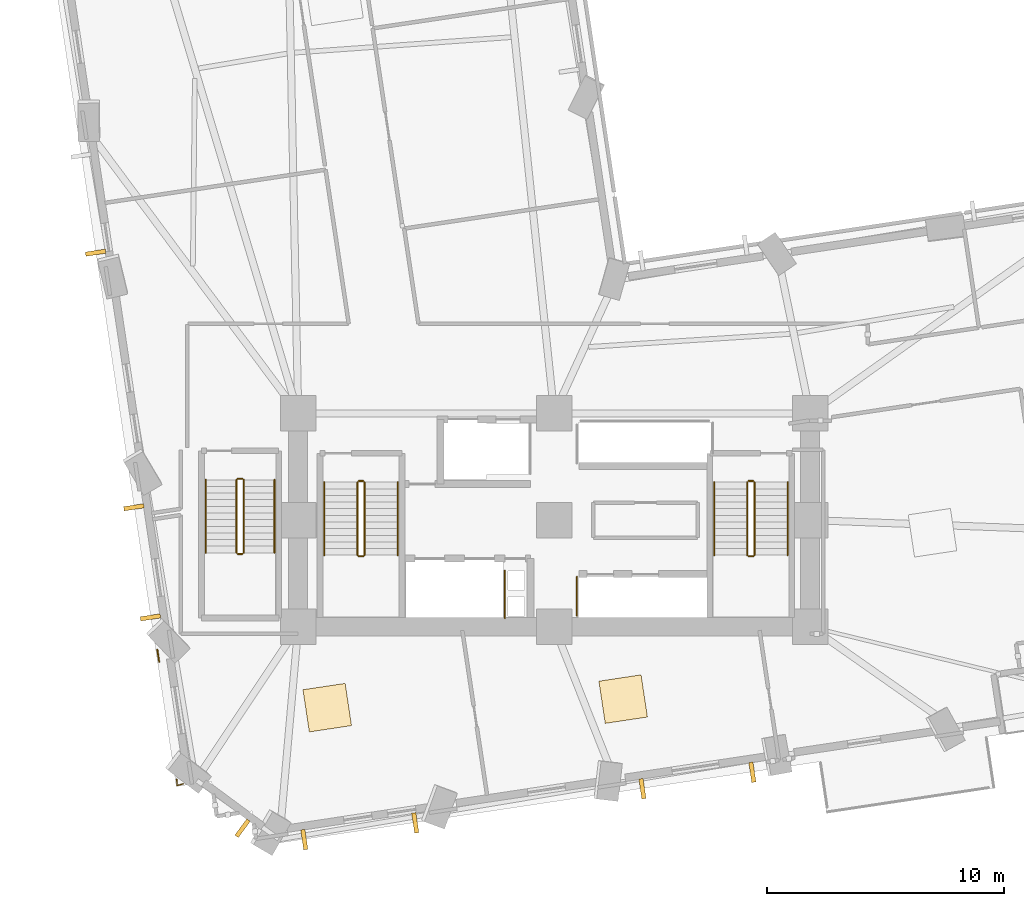
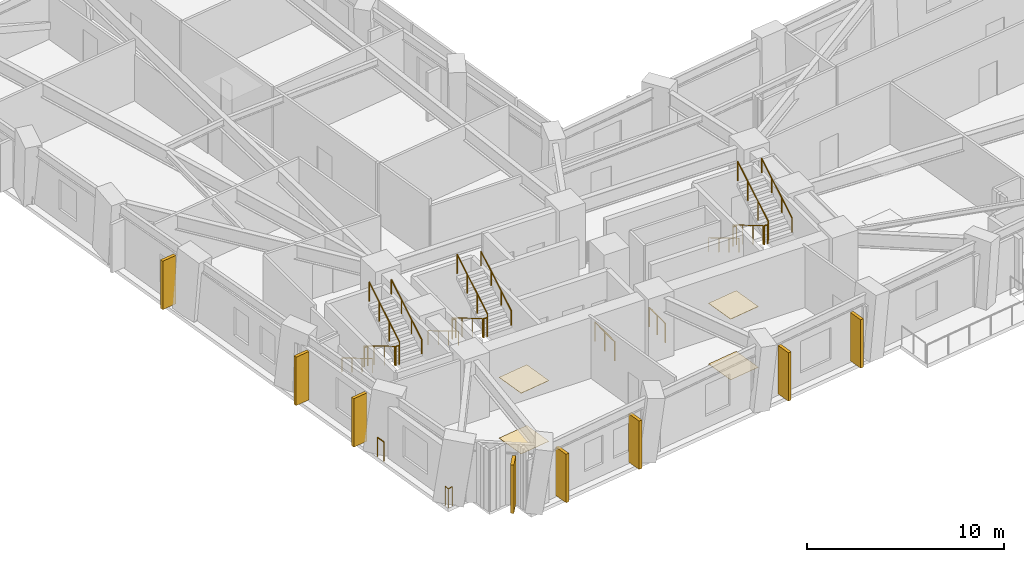
# One storey, part 12 of 15: 22 railings, 8 shading devices, 4 coverings.
"""IFC4 building model written with IfcOpenShell, lengths in metres."""

from ifc_helpers import new_model, si_unit, direction, frame, origin, origin_2d, place, context, subcontext, project, spatial, rectangle, circle, extrude, material, layer, layer_set, type_object, element, save


model = new_model("IFC4")

# Units and contexts
model_context = context("Model", 3, precision=1e-05, world=origin(), true_north=direction((0.0, 1.0)))
body_context = subcontext(model_context, "Body", "Model", "MODEL_VIEW")
ifc_project = project(units=[si_unit("LENGTHUNIT", "METRE"), si_unit("AREAUNIT", "SQUARE_METRE"), si_unit("VOLUMEUNIT", "CUBIC_METRE"), si_unit("PLANEANGLEUNIT", "RADIAN"), si_unit("MASSUNIT", "GRAM", prefix="KILO")], contexts=[model_context])

# Site, building, storey
site_placement = place(None, origin())
site = spatial("IfcSite", under=ifc_project, at=site_placement, CompositionType="ELEMENT")
building_placement = place(site_placement, origin())
building = spatial("IfcBuilding", under=site, at=building_placement, Name="Gaonmaruhae Medical Tower", CompositionType="ELEMENT")
storey_placement = place(building_placement, frame((0.0, 0.0, 59.0)))
storey = spatial("IfcBuildingStorey", under=building, at=storey_placement, Name="L13", CompositionType="ELEMENT", Elevation=59.0)

# Coverings
ifc_material_1 = material(Name="Acoustic mineral ceiling tile", Category="finish")
ifc_layer_1 = layer(ifc_material_1, 0.02490234375)
ifc_layer_set_1 = layer_set([ifc_layer_1], Name="Acoustic mineral ceiling tile")
covering_type_1 = type_object("IfcCoveringType", Name="CLG-01 Antimicrobial Acoustic Mineral Ceiling", PredefinedType="CEILING", material=ifc_layer_set_1)
for number, where, z_axis, x_axis, name in (
    (1, (15.2255859375, 4.386474609375, 3.755126953125), (0.0, 0.0, 1.0), (0.988886498745, 0.148672433897, 0.0), "L13 Clinical Room Acoustic Ceiling 2"),
    (2, (27.710693359375, 4.747314453125, 3.755126953125), (0.0, 0.0, 1.0), (0.988886498745, 0.148672433897, 0.0), "L13 Clinical Room Acoustic Ceiling 3"),
):
    element("IfcCovering", number, at=place(storey_placement, frame(where, z_axis=z_axis, x_axis=x_axis)), inside=storey, type_object=covering_type_1, Name=name, PredefinedType="CEILING", context=body_context, shape_type="SweptSolid", body=[
        extrude(rectangle(XDim=1.800048828125, YDim=1.800048828125, at=origin_2d()), origin(), (0.0, 0.0, 1.0), 0.02490234375),
    ])
ifc_material_2 = material(Name="Seamless clinical vinyl flooring", Category="finish")
ifc_layer_2 = layer(ifc_material_2, 0.014892578125)
ifc_layer_set_2 = layer_set([ifc_layer_2], Name="Seamless clinical vinyl flooring")
covering_type_2 = type_object("IfcCoveringType", Name="FLR-01 Seamless Clinical Antistatic Vinyl Flooring", PredefinedType="FLOORING", material=ifc_layer_set_2)
for number, where, z_axis, x_axis, name in (
    (3, (15.2255859375, 4.386474609375, 0.0), (0.0, 0.0, 1.0), (0.988886498745, 0.148672433897, 0.0), "L13 Clinical Room Vinyl Flooring 2"),
    (4, (27.710693359375, 4.747314453125, 0.0), (0.0, 0.0, 1.0), (0.988886498745, 0.148672433897, 0.0), "L13 Clinical Room Vinyl Flooring 3"),
):
    element("IfcCovering", number, at=place(storey_placement, frame(where, z_axis=z_axis, x_axis=x_axis)), inside=storey, type_object=covering_type_2, Name=name, PredefinedType="FLOORING", context=body_context, shape_type="SweptSolid", body=[
        extrude(rectangle(XDim=1.800048828125, YDim=1.800048828125, at=origin_2d()), origin(), (0.0, 0.0, 1.0), 0.014892578125),
    ])

# Railings
ifc_material_3 = material(Name="Stainless steel 316L and laminated safety glass", Category="steel")
ifc_layer_3 = layer(ifc_material_3, 0.080078125)
ifc_layer_set_3 = layer_set([ifc_layer_3], Name="Stainless steel 316L and laminated safety glass")
railing_type_1 = type_object("IfcRailingType", Name="GD-120 Outdoor Terrace Safety Glass & Steel Balustrade", PredefinedType="BALUSTRADE", material=ifc_layer_set_3)
railing_1_placement = place(storey_placement, frame((8.1337890625, 6.323486328125, 0.0)))
element("IfcRailing", 5, at=railing_1_placement, inside=storey, type_object=railing_type_1, Name="L13 Perimeter Slab Edge Safety Balustrade 01", PredefinedType="BALUSTRADE", context=body_context, shape_type="SweptSolid", body=[
    extrude(circle(Radius=0.02392578125, at=origin_2d()), frame((0.0, 0.0, 1.17578125), z_axis=(-0.148455316307, 0.988919116541, 0.0), x_axis=(-0.988919116541, -0.148455316307, 0.0)), (0.0, 0.0, 1.0), 0.519775390625),
    extrude(circle(Radius=0.02099609375, at=origin_2d()), origin(), (0.0, 0.0, 1.0), 1.15185546875),
    extrude(circle(Radius=0.02099609375, at=origin_2d()), frame((-0.0771484375, 0.513916015625, 0.0)), (0.0, 0.0, 1.0), 1.15185546875),
])
railing_2_placement = place(storey_placement, frame((9.160888671875, 1.174072265625, 0.0)))
element("IfcRailing", 6, at=railing_2_placement, inside=storey, type_object=railing_type_1, Name="L13 Perimeter Corner Safety Balustrade 10", PredefinedType="BALUSTRADE", context=body_context, shape_type="SweptSolid", body=[
    extrude(circle(Radius=0.02392578125, at=origin_2d()), frame((0.0, 0.0, 1.17578125), z_axis=(-0.963237241417, -0.268652222672, 0.0), x_axis=(0.268652222672, -0.963237241417, 0.0)), (0.0, 0.0, 1.0), 0.287109375),
    extrude(circle(Radius=0.02392578125, at=origin_2d()), frame((-0.276611328125, -0.0771484375, 1.17578125), z_axis=(-0.027200816037, 0.99962998935, 0.0), x_axis=(-0.99962998935, -0.027200816037, 0.0)), (0.0, 0.0, 1.0), 0.287109375),
    extrude(circle(Radius=0.02099609375, at=origin_2d()), origin(), (0.0, 0.0, 1.0), 1.15185546875),
    extrude(circle(Radius=0.02099609375, at=origin_2d()), frame((-0.276611328125, -0.0771484375, 0.0)), (0.0, 0.0, 1.0), 1.15185546875),
    extrude(circle(Radius=0.02099609375, at=origin_2d()), frame((-0.284423828125, 0.2099609375, 0.0)), (0.0, 0.0, 1.0), 1.15185546875),
])
ifc_material_4 = material(Name="Stainless steel 304 handrail", Category="steel")
railing_type_2 = type_object("IfcRailingType", Name="HR-092 Continuous Stainless Steel Stair Handrail", PredefinedType="HANDRAIL", material=ifc_material_4)
railing_3_placement = place(storey_placement, frame((15.10009765625, 13.89990234375, 0.166748046875)))
element("IfcRailing", 7, at=railing_3_placement, inside=storey, type_object=railing_type_2, Name="L13 ST-01 stair handrail 1", PredefinedType="HANDRAIL", context=body_context, shape_type="SweptSolid", body=[
    extrude(circle(Radius=0.02392578125, at=origin_2d()), frame((0.0, 0.0, 0.8759765625), z_axis=(0.0, -0.859290745958, 0.51148745235), x_axis=(1.0, 0.0, 0.0)), (0.0, 0.0, 1.0), 3.584228515625),
    extrude(circle(Radius=0.02099609375, at=origin_2d()), origin(), (0.0, 0.0, 1.0), 0.851806640625),
    extrude(circle(Radius=0.02099609375, at=origin_2d()), frame((0.0, -1.026611328125, 0.611083984375)), (0.0, 0.0, 1.0), 0.851806640625),
    extrude(circle(Radius=0.02099609375, at=origin_2d()), frame((0.0, -2.05322265625, 1.22216796875)), (0.0, 0.0, 1.0), 0.851806640625),
    extrude(circle(Radius=0.02099609375, at=origin_2d()), frame((0.0, -3.079833984375, 1.833251953125)), (0.0, 0.0, 1.0), 0.851806640625),
])
railing_4_placement = place(storey_placement, frame((18.199951171875, 10.820068359375, 2.166748046875)))
element("IfcRailing", 8, at=railing_4_placement, inside=storey, type_object=railing_type_2, Name="L13 ST-01 stair handrail 2", PredefinedType="HANDRAIL", context=body_context, shape_type="SweptSolid", body=[
    extrude(circle(Radius=0.02392578125, at=origin_2d()), frame((0.0, 0.0, 0.8759765625), z_axis=(0.0, 0.859290745958, 0.51148745235), x_axis=(-1.0, 0.0, 0.0)), (0.0, 0.0, 1.0), 3.584228515625),
    extrude(circle(Radius=0.02099609375, at=origin_2d()), origin(), (0.0, 0.0, 1.0), 0.851806640625),
    extrude(circle(Radius=0.02099609375, at=origin_2d()), frame((0.0, 1.026611328125, 0.611083984375)), (0.0, 0.0, 1.0), 0.851806640625),
    extrude(circle(Radius=0.02099609375, at=origin_2d()), frame((0.0, 2.05322265625, 1.22216796875)), (0.0, 0.0, 1.0), 0.851806640625),
    extrude(circle(Radius=0.02099609375, at=origin_2d()), frame((0.0, 3.079833984375, 1.833251953125)), (0.0, 0.0, 1.0), 0.851806640625),
])
railing_5_placement = place(storey_placement, frame((31.550048828125, 13.89990234375, 0.166748046875)))
element("IfcRailing", 9, at=railing_5_placement, inside=storey, type_object=railing_type_2, Name="L13 ST-02 stair handrail 1", PredefinedType="HANDRAIL", context=body_context, shape_type="SweptSolid", body=[
    extrude(circle(Radius=0.02392578125, at=origin_2d()), frame((0.0, 0.0, 0.8759765625), z_axis=(0.0, -0.859290745958, 0.51148745235), x_axis=(1.0, 0.0, 0.0)), (0.0, 0.0, 1.0), 3.584228515625),
    extrude(circle(Radius=0.02099609375, at=origin_2d()), origin(), (0.0, 0.0, 1.0), 0.851806640625),
    extrude(circle(Radius=0.02099609375, at=origin_2d()), frame((0.0, -1.026611328125, 0.611083984375)), (0.0, 0.0, 1.0), 0.851806640625),
    extrude(circle(Radius=0.02099609375, at=origin_2d()), frame((0.0, -2.05322265625, 1.22216796875)), (0.0, 0.0, 1.0), 0.851806640625),
    extrude(circle(Radius=0.02099609375, at=origin_2d()), frame((0.0, -3.079833984375, 1.833251953125)), (0.0, 0.0, 1.0), 0.851806640625),
])
railing_6_placement = place(storey_placement, frame((34.64990234375, 10.820068359375, 2.166748046875)))
element("IfcRailing", 10, at=railing_6_placement, inside=storey, type_object=railing_type_2, Name="L13 ST-02 stair handrail 2", PredefinedType="HANDRAIL", context=body_context, shape_type="SweptSolid", body=[
    extrude(circle(Radius=0.02392578125, at=origin_2d()), frame((0.0, 0.0, 0.8759765625), z_axis=(0.0, 0.859290745958, 0.51148745235), x_axis=(-1.0, 0.0, 0.0)), (0.0, 0.0, 1.0), 3.584228515625),
    extrude(circle(Radius=0.02099609375, at=origin_2d()), origin(), (0.0, 0.0, 1.0), 0.851806640625),
    extrude(circle(Radius=0.02099609375, at=origin_2d()), frame((0.0, 1.026611328125, 0.611083984375)), (0.0, 0.0, 1.0), 0.851806640625),
    extrude(circle(Radius=0.02099609375, at=origin_2d()), frame((0.0, 2.05322265625, 1.22216796875)), (0.0, 0.0, 1.0), 0.851806640625),
    extrude(circle(Radius=0.02099609375, at=origin_2d()), frame((0.0, 3.079833984375, 1.833251953125)), (0.0, 0.0, 1.0), 0.851806640625),
])
railing_7_placement = place(storey_placement, frame((10.10009765625, 14.0, 0.166748046875)))
element("IfcRailing", 11, at=railing_7_placement, inside=storey, type_object=railing_type_2, Name="L13 ST-03 stair handrail 1", PredefinedType="HANDRAIL", context=body_context, shape_type="SweptSolid", body=[
    extrude(circle(Radius=0.02392578125, at=origin_2d()), frame((0.0, 0.0, 0.8759765625), z_axis=(0.0, -0.859308565015, 0.511457515432), x_axis=(1.0, 0.0, 0.0)), (0.0, 0.0, 1.0), 3.58447265625),
    extrude(circle(Radius=0.02099609375, at=origin_2d()), origin(), (0.0, 0.0, 1.0), 0.851806640625),
    extrude(circle(Radius=0.02099609375, at=origin_2d()), frame((0.0, -1.026611328125, 0.611083984375)), (0.0, 0.0, 1.0), 0.851806640625),
    extrude(circle(Radius=0.02099609375, at=origin_2d()), frame((0.0, -2.053466796875, 1.22216796875)), (0.0, 0.0, 1.0), 0.851806640625),
    extrude(circle(Radius=0.02099609375, at=origin_2d()), frame((0.0, -3.080078125, 1.833251953125)), (0.0, 0.0, 1.0), 0.851806640625),
])
railing_8_placement = place(storey_placement, frame((13.0, 10.919921875, 2.166748046875)))
element("IfcRailing", 12, at=railing_8_placement, inside=storey, type_object=railing_type_2, Name="L13 ST-03 stair handrail 2", PredefinedType="HANDRAIL", context=body_context, shape_type="SweptSolid", body=[
    extrude(circle(Radius=0.02392578125, at=origin_2d()), frame((0.0, 0.0, 0.8759765625), z_axis=(0.0, 0.859308565015, 0.511457515432), x_axis=(-1.0, 0.0, 0.0)), (0.0, 0.0, 1.0), 3.58447265625),
    extrude(circle(Radius=0.02099609375, at=origin_2d()), origin(), (0.0, 0.0, 1.0), 0.851806640625),
    extrude(circle(Radius=0.02099609375, at=origin_2d()), frame((0.0, 1.026611328125, 0.611083984375)), (0.0, 0.0, 1.0), 0.851806640625),
    extrude(circle(Radius=0.02099609375, at=origin_2d()), frame((0.0, 2.053466796875, 1.22216796875)), (0.0, 0.0, 1.0), 0.851806640625),
    extrude(circle(Radius=0.02099609375, at=origin_2d()), frame((0.0, 3.080078125, 1.833251953125)), (0.0, 0.0, 1.0), 0.851806640625),
])

# Shading devices
ifc_material_5 = material(Name="Pigmented coral precast concrete C45/55", Category="concrete")
shading_device_type = type_object("IfcShadingDeviceType", Name="SD-FIN1 Tower Vertical Coral Precast Shading Fin", PredefinedType="USERDEFINED", material=ifc_material_5)
for number, where, z_axis, x_axis, name in (
    (13, (18.939208984375, -0.4755859375, 0.08251953125), (0.0, 0.0, 1.0), (-0.988886498745, -0.148672433897, 0.0), "L13 Vertical Coral Precast Shading Fin S01"),
    (14, (14.25732421875, -1.179443359375, 0.08251953125), (0.0, 0.0, 1.0), (-0.988886498745, -0.148672433897, 0.0), "L13 Vertical Coral Precast Shading Fin S01B"),
    (15, (33.162109375, 1.66259765625, 0.08251953125), (0.0, 0.0, 1.0), (-0.988886498745, -0.148672433897, 0.0), "L13 Vertical Coral Precast Shading Fin S03"),
    (16, (28.524658203125, 0.965576171875, 0.08251953125), (0.0, 0.0, 1.0), (-0.988886498745, -0.148672433897, 0.0), "L13 Vertical Coral Precast Shading Fin S03B"),
    (17, (5.453369140625, 23.581787109375, 0.08251953125), (0.0, 0.0, 1.0), (-0.148672433897, 0.988886498745, 0.0), "L13 Vertical Coral Precast Shading Fin W03"),
    (18, (7.7666015625, 8.195068359375, 0.08251953125), (0.0, 0.0, 1.0), (-0.1486896932, 0.98888390377, 0.0), "L13 Vertical Coral Precast Shading Fin W05"),
    (19, (7.068115234375, 12.840087890625, 0.08251953125), (0.0, 0.0, 1.0), (-0.1486896932, 0.98888390377, 0.0), "L13 Vertical Coral Precast Shading Fin W05B"),
    (20, (11.65185546875, -0.7001953125, 0.08251953125), (0.0, 0.0, 1.0), (-0.80437563527, 0.594121062902, 0.0), "L13 Vertical Coral Precast Shading Fin W07"),
):
    element("IfcShadingDevice", number, at=place(storey_placement, frame(where, z_axis=z_axis, x_axis=x_axis)), inside=storey, type_object=shading_device_type, Name=name, ObjectType="FIN", PredefinedType="USERDEFINED", context=body_context, shape_type="SweptSolid", body=[
        extrude(rectangle(XDim=0.179931640625, YDim=0.85009765625, at=origin_2d()), origin(), (0.0, 0.0, 1.0), 3.0),
    ])

# Railings
ifc_material_6 = material(Name="Stainless steel 304 balustrade", Category="steel")
railing_type_3 = type_object("IfcRailingType", Name="SG-112 Stair Well & Ramp Void Safety Balustrade", PredefinedType="BALUSTRADE", material=ifc_material_6)
railing_9_placement = place(storey_placement, frame((16.5, 13.89990234375, 0.166748046875)))
element("IfcRailing", 21, at=railing_9_placement, inside=storey, type_object=railing_type_3, Name="L13 ST-01 stair guard 1", PredefinedType="BALUSTRADE", context=body_context, shape_type="SweptSolid", body=[
    extrude(circle(Radius=0.02392578125, at=origin_2d()), frame((0.0, 0.0, 1.17578125), z_axis=(0.0, -0.859290745958, 0.51148745235), x_axis=(1.0, 0.0, 0.0)), (0.0, 0.0, 1.0), 3.584228515625),
    extrude(circle(Radius=0.02099609375, at=origin_2d()), origin(), (0.0, 0.0, 1.0), 1.15185546875),
    extrude(circle(Radius=0.02099609375, at=origin_2d()), frame((0.0, -1.026611328125, 0.611083984375)), (0.0, 0.0, 1.0), 1.15185546875),
    extrude(circle(Radius=0.02099609375, at=origin_2d()), frame((0.0, -2.05322265625, 1.22216796875)), (0.0, 0.0, 1.0), 1.15185546875),
    extrude(circle(Radius=0.02099609375, at=origin_2d()), frame((0.0, -3.079833984375, 1.833251953125)), (0.0, 0.0, 1.0), 1.15185546875),
])
railing_10_placement = place(storey_placement, frame((16.550048828125, 10.77001953125, 2.0)))
element("IfcRailing", 22, at=railing_10_placement, inside=storey, type_object=railing_type_3, Name="L13 ST-01 stair guard 2", PredefinedType="BALUSTRADE", context=body_context, shape_type="SweptSolid", body=[
    extrude(circle(Radius=0.02392578125, at=origin_2d()), frame((0.0, 0.0, 1.17578125), z_axis=(1.0, 0.0, 0.0), x_axis=(0.0, 1.0, 0.0)), (0.0, 0.0, 1.0), 0.199951171875),
    extrude(circle(Radius=0.02099609375, at=origin_2d()), origin(), (0.0, 0.0, 1.0), 1.15185546875),
    extrude(circle(Radius=0.02099609375, at=origin_2d()), frame((0.199951171875, 0.0, 0.0)), (0.0, 0.0, 1.0), 1.15185546875),
])
railing_11_placement = place(storey_placement, frame((16.800048828125, 10.820068359375, 2.166748046875)))
element("IfcRailing", 23, at=railing_11_placement, inside=storey, type_object=railing_type_3, Name="L13 ST-01 stair guard 3", PredefinedType="BALUSTRADE", context=body_context, shape_type="SweptSolid", body=[
    extrude(circle(Radius=0.02392578125, at=origin_2d()), frame((0.0, 0.0, 1.17578125), z_axis=(0.0, 0.859290745958, 0.51148745235), x_axis=(-1.0, 0.0, 0.0)), (0.0, 0.0, 1.0), 3.584228515625),
    extrude(circle(Radius=0.02099609375, at=origin_2d()), origin(), (0.0, 0.0, 1.0), 1.15185546875),
    extrude(circle(Radius=0.02099609375, at=origin_2d()), frame((0.0, 1.026611328125, 0.611083984375)), (0.0, 0.0, 1.0), 1.15185546875),
    extrude(circle(Radius=0.02099609375, at=origin_2d()), frame((0.0, 2.05322265625, 1.22216796875)), (0.0, 0.0, 1.0), 1.15185546875),
    extrude(circle(Radius=0.02099609375, at=origin_2d()), frame((0.0, 3.079833984375, 1.833251953125)), (0.0, 0.0, 1.0), 1.15185546875),
])
railing_12_placement = place(storey_placement, frame((16.550048828125, 13.949951171875, 0.0)))
element("IfcRailing", 24, at=railing_12_placement, inside=storey, type_object=railing_type_3, Name="L13 ST-01 stair guard 4", PredefinedType="BALUSTRADE", context=body_context, shape_type="SweptSolid", body=[
    extrude(circle(Radius=0.02392578125, at=origin_2d()), frame((0.0, 0.0, 1.17578125), z_axis=(1.0, 0.0, 0.0), x_axis=(0.0, 1.0, 0.0)), (0.0, 0.0, 1.0), 0.199951171875),
    extrude(circle(Radius=0.02099609375, at=origin_2d()), origin(), (0.0, 0.0, 1.0), 1.15185546875),
    extrude(circle(Radius=0.02099609375, at=origin_2d()), frame((0.199951171875, 0.0, 0.0)), (0.0, 0.0, 1.0), 1.15185546875),
])
railing_13_placement = place(storey_placement, frame((32.949951171875, 13.89990234375, 0.166748046875)))
element("IfcRailing", 25, at=railing_13_placement, inside=storey, type_object=railing_type_3, Name="L13 ST-02 stair guard 1", PredefinedType="BALUSTRADE", context=body_context, shape_type="SweptSolid", body=[
    extrude(circle(Radius=0.02392578125, at=origin_2d()), frame((0.0, 0.0, 1.17578125), z_axis=(0.0, -0.859290745958, 0.51148745235), x_axis=(1.0, 0.0, 0.0)), (0.0, 0.0, 1.0), 3.584228515625),
    extrude(circle(Radius=0.02099609375, at=origin_2d()), origin(), (0.0, 0.0, 1.0), 1.15185546875),
    extrude(circle(Radius=0.02099609375, at=origin_2d()), frame((0.0, -1.026611328125, 0.611083984375)), (0.0, 0.0, 1.0), 1.15185546875),
    extrude(circle(Radius=0.02099609375, at=origin_2d()), frame((0.0, -2.05322265625, 1.22216796875)), (0.0, 0.0, 1.0), 1.15185546875),
    extrude(circle(Radius=0.02099609375, at=origin_2d()), frame((0.0, -3.079833984375, 1.833251953125)), (0.0, 0.0, 1.0), 1.15185546875),
])
railing_14_placement = place(storey_placement, frame((33.0, 10.77001953125, 2.0)))
element("IfcRailing", 26, at=railing_14_placement, inside=storey, type_object=railing_type_3, Name="L13 ST-02 stair guard 2", PredefinedType="BALUSTRADE", context=body_context, shape_type="SweptSolid", body=[
    extrude(circle(Radius=0.02392578125, at=origin_2d()), frame((0.0, 0.0, 1.17578125), z_axis=(1.0, 0.0, 0.0), x_axis=(0.0, 1.0, 0.0)), (0.0, 0.0, 1.0), 0.199951171875),
    extrude(circle(Radius=0.02099609375, at=origin_2d()), origin(), (0.0, 0.0, 1.0), 1.15185546875),
    extrude(circle(Radius=0.02099609375, at=origin_2d()), frame((0.199951171875, 0.0, 0.0)), (0.0, 0.0, 1.0), 1.15185546875),
])
railing_15_placement = place(storey_placement, frame((33.25, 10.820068359375, 2.166748046875)))
element("IfcRailing", 27, at=railing_15_placement, inside=storey, type_object=railing_type_3, Name="L13 ST-02 stair guard 3", PredefinedType="BALUSTRADE", context=body_context, shape_type="SweptSolid", body=[
    extrude(circle(Radius=0.02392578125, at=origin_2d()), frame((0.0, 0.0, 1.17578125), z_axis=(0.0, 0.859290745958, 0.51148745235), x_axis=(-1.0, 0.0, 0.0)), (0.0, 0.0, 1.0), 3.584228515625),
    extrude(circle(Radius=0.02099609375, at=origin_2d()), origin(), (0.0, 0.0, 1.0), 1.15185546875),
    extrude(circle(Radius=0.02099609375, at=origin_2d()), frame((0.0, 1.026611328125, 0.611083984375)), (0.0, 0.0, 1.0), 1.15185546875),
    extrude(circle(Radius=0.02099609375, at=origin_2d()), frame((0.0, 2.05322265625, 1.22216796875)), (0.0, 0.0, 1.0), 1.15185546875),
    extrude(circle(Radius=0.02099609375, at=origin_2d()), frame((0.0, 3.079833984375, 1.833251953125)), (0.0, 0.0, 1.0), 1.15185546875),
])
railing_16_placement = place(storey_placement, frame((33.0, 13.949951171875, 0.0)))
element("IfcRailing", 28, at=railing_16_placement, inside=storey, type_object=railing_type_3, Name="L13 ST-02 stair guard 4", PredefinedType="BALUSTRADE", context=body_context, shape_type="SweptSolid", body=[
    extrude(circle(Radius=0.02392578125, at=origin_2d()), frame((0.0, 0.0, 1.17578125), z_axis=(1.0, 0.0, 0.0), x_axis=(0.0, 1.0, 0.0)), (0.0, 0.0, 1.0), 0.199951171875),
    extrude(circle(Radius=0.02099609375, at=origin_2d()), origin(), (0.0, 0.0, 1.0), 1.15185546875),
    extrude(circle(Radius=0.02099609375, at=origin_2d()), frame((0.199951171875, 0.0, 0.0)), (0.0, 0.0, 1.0), 1.15185546875),
])
railing_17_placement = place(storey_placement, frame((11.39990234375, 14.0, 0.166748046875)))
element("IfcRailing", 29, at=railing_17_placement, inside=storey, type_object=railing_type_3, Name="L13 ST-03 stair guard 1", PredefinedType="BALUSTRADE", context=body_context, shape_type="SweptSolid", body=[
    extrude(circle(Radius=0.02392578125, at=origin_2d()), frame((0.0, 0.0, 1.17578125), z_axis=(0.0, -0.859308565015, 0.511457515432), x_axis=(1.0, 0.0, 0.0)), (0.0, 0.0, 1.0), 3.58447265625),
    extrude(circle(Radius=0.02099609375, at=origin_2d()), origin(), (0.0, 0.0, 1.0), 1.15185546875),
    extrude(circle(Radius=0.02099609375, at=origin_2d()), frame((0.0, -1.026611328125, 0.611083984375)), (0.0, 0.0, 1.0), 1.15185546875),
    extrude(circle(Radius=0.02099609375, at=origin_2d()), frame((0.0, -2.053466796875, 1.22216796875)), (0.0, 0.0, 1.0), 1.15185546875),
    extrude(circle(Radius=0.02099609375, at=origin_2d()), frame((0.0, -3.080078125, 1.833251953125)), (0.0, 0.0, 1.0), 1.15185546875),
])
railing_18_placement = place(storey_placement, frame((11.449951171875, 10.8701171875, 2.0)))
element("IfcRailing", 30, at=railing_18_placement, inside=storey, type_object=railing_type_3, Name="L13 ST-03 stair guard 2", PredefinedType="BALUSTRADE", context=body_context, shape_type="SweptSolid", body=[
    extrude(circle(Radius=0.02392578125, at=origin_2d()), frame((0.0, 0.0, 1.17578125), z_axis=(1.0, 0.0, 0.0), x_axis=(0.0, 1.0, 0.0)), (0.0, 0.0, 1.0), 0.199951171875),
    extrude(circle(Radius=0.02099609375, at=origin_2d()), origin(), (0.0, 0.0, 1.0), 1.15185546875),
    extrude(circle(Radius=0.02099609375, at=origin_2d()), frame((0.199951171875, 0.0, 0.0)), (0.0, 0.0, 1.0), 1.15185546875),
])
railing_19_placement = place(storey_placement, frame((11.699951171875, 10.919921875, 2.166748046875)))
element("IfcRailing", 31, at=railing_19_placement, inside=storey, type_object=railing_type_3, Name="L13 ST-03 stair guard 3", PredefinedType="BALUSTRADE", context=body_context, shape_type="SweptSolid", body=[
    extrude(circle(Radius=0.02392578125, at=origin_2d()), frame((0.0, 0.0, 1.17578125), z_axis=(0.0, 0.859308565015, 0.511457515432), x_axis=(-1.0, 0.0, 0.0)), (0.0, 0.0, 1.0), 3.58447265625),
    extrude(circle(Radius=0.02099609375, at=origin_2d()), origin(), (0.0, 0.0, 1.0), 1.15185546875),
    extrude(circle(Radius=0.02099609375, at=origin_2d()), frame((0.0, 1.026611328125, 0.611083984375)), (0.0, 0.0, 1.0), 1.15185546875),
    extrude(circle(Radius=0.02099609375, at=origin_2d()), frame((0.0, 2.053466796875, 1.22216796875)), (0.0, 0.0, 1.0), 1.15185546875),
    extrude(circle(Radius=0.02099609375, at=origin_2d()), frame((0.0, 3.080078125, 1.833251953125)), (0.0, 0.0, 1.0), 1.15185546875),
])
railing_20_placement = place(storey_placement, frame((11.449951171875, 14.050048828125, 0.0)))
element("IfcRailing", 32, at=railing_20_placement, inside=storey, type_object=railing_type_3, Name="L13 ST-03 stair guard 4", PredefinedType="BALUSTRADE", context=body_context, shape_type="SweptSolid", body=[
    extrude(circle(Radius=0.02392578125, at=origin_2d()), frame((0.0, 0.0, 1.17578125), z_axis=(1.0, 0.0, 0.0), x_axis=(0.0, 1.0, 0.0)), (0.0, 0.0, 1.0), 0.199951171875),
    extrude(circle(Radius=0.02099609375, at=origin_2d()), origin(), (0.0, 0.0, 1.0), 1.15185546875),
    extrude(circle(Radius=0.02099609375, at=origin_2d()), frame((0.199951171875, 0.0, 0.0)), (0.0, 0.0, 1.0), 1.15185546875),
])
railing_21_placement = place(storey_placement, frame((25.7548828125, 8.27001953125, 0.0)))
element("IfcRailing", 33, at=railing_21_placement, inside=storey, type_object=railing_type_3, Name="L13 Shaft Edge Safety Guard 11", PredefinedType="BALUSTRADE", context=body_context, shape_type="SweptSolid", body=[
    extrude(circle(Radius=0.02392578125, at=origin_2d()), frame((0.0, 0.0, 1.17578125), z_axis=(0.0, 1.0, 0.0), x_axis=(-1.0, 0.0, 0.0)), (0.0, 0.0, 1.0), 1.635009765625),
    extrude(circle(Radius=0.02099609375, at=origin_2d()), origin(), (0.0, 0.0, 1.0), 1.15185546875),
    extrude(circle(Radius=0.02099609375, at=origin_2d()), frame((0.0, 0.8173828125, 0.0)), (0.0, 0.0, 1.0), 1.15185546875),
    extrude(circle(Radius=0.02099609375, at=origin_2d()), frame((0.0, 1.635009765625, 0.0)), (0.0, 0.0, 1.0), 1.15185546875),
])
railing_22_placement = place(storey_placement, frame((22.719970703125, 10.159912109375, 0.0)))
element("IfcRailing", 34, at=railing_22_placement, inside=storey, type_object=railing_type_3, Name="L13 Shaft Edge Safety Guard 12", PredefinedType="BALUSTRADE", context=body_context, shape_type="SweptSolid", body=[
    extrude(circle(Radius=0.02392578125, at=origin_2d()), frame((0.0, 0.0, 1.17578125), z_axis=(0.0, -1.0, 0.0), x_axis=(1.0, 0.0, 0.0)), (0.0, 0.0, 1.0), 1.994873046875),
    extrude(circle(Radius=0.02099609375, at=origin_2d()), origin(), (0.0, 0.0, 1.0), 1.15185546875),
    extrude(circle(Radius=0.02099609375, at=origin_2d()), frame((0.0, -0.99755859375, 0.0)), (0.0, 0.0, 1.0), 1.15185546875),
    extrude(circle(Radius=0.02099609375, at=origin_2d()), frame((0.0, -1.994873046875, 0.0)), (0.0, 0.0, 1.0), 1.15185546875),
])

save(model, "model.ifc")
